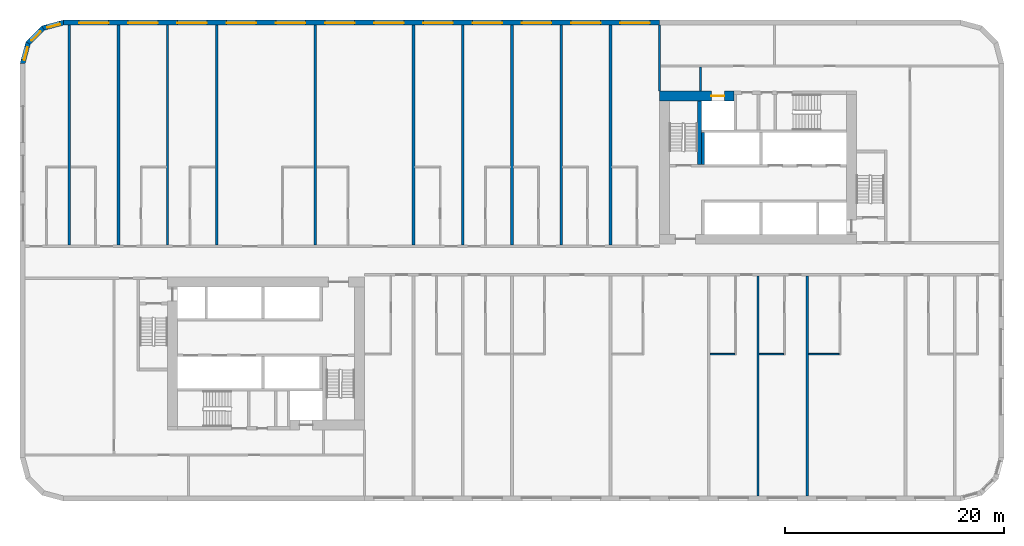
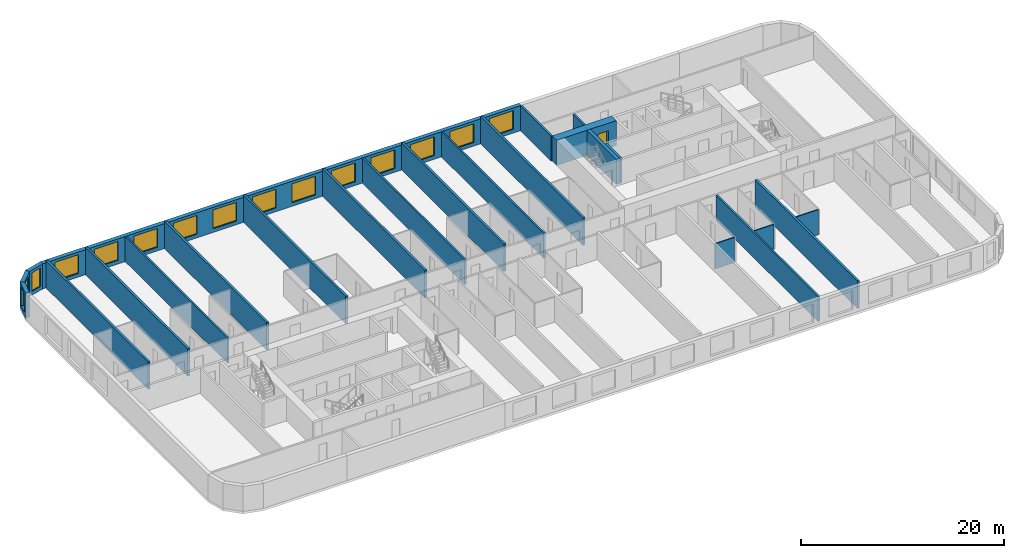
# One storey, part 6 of 12: 24 walls, 15 windows, 1 door, 16 openings.
"""IFC4 building model written with IfcOpenShell, lengths in metres."""

from ifc_helpers import new_model, si_unit, direction, frame, frame_2d, origin, place, context, subcontext, project, spatial, polyline, rectangle, outline, extrude, material, layer, layer_set, type_object, element, fill, save


model = new_model("IFC4")

# Units and contexts
model_context = context("Model", 3, precision=1e-05, world=origin(), true_north=direction((0.0, 1.0)))
body_context = subcontext(model_context, "Body", "Model", "MODEL_VIEW")
ifc_project = project(units=[si_unit("LENGTHUNIT", "METRE"), si_unit("AREAUNIT", "SQUARE_METRE"), si_unit("VOLUMEUNIT", "CUBIC_METRE"), si_unit("PLANEANGLEUNIT", "RADIAN"), si_unit("MASSUNIT", "GRAM", prefix="KILO")], contexts=[model_context])

# Site, building, storey
site_placement = place(None, origin())
site = spatial("IfcSite", under=ifc_project, at=site_placement, CompositionType="ELEMENT")
building_placement = place(site_placement, origin())
building = spatial("IfcBuilding", under=site, at=building_placement, Name="Kajstack Hotel Tower", CompositionType="ELEMENT")
storey_placement = place(building_placement, frame((0.0, 0.0, 76.5)))
storey = spatial("IfcBuildingStorey", under=building, at=storey_placement, Name="L14", CompositionType="ELEMENT", Elevation=76.5)

# Wall, opening, door
ifc_material_1 = material(Name="Concrete C60/75", Category="concrete")
ifc_layer_1 = layer(ifc_material_1, 0.89990234375)
ifc_layer_set_1 = layer_set([ifc_layer_1], Name="Core wall 900")
wall_type_1 = type_object("IfcWallType", Name="Core wall 900", PredefinedType="SHEAR", material=ifc_layer_set_1)
wall_1_placement = place(storey_placement, frame((13.5, 15.050048828125, 0.0), z_axis=(0.0, 0.0, 1.0), x_axis=(1.0, 0.0, 0.0)))
wall_1 = element("IfcWall", 1, at=wall_1_placement, inside=storey, type_object=wall_type_1, Name="Core wall E RS", PredefinedType="SHEAR", context=body_context, shape_type="SweptSolid", body=[
    extrude(rectangle(XDim=6.800048828125, YDim=0.89990234375, at=frame_2d((3.39990234375, 0.0))), origin(), (0.0, 0.0, 1.0), 3.02001953125),
])
opening_1_placement = place(wall_1_placement, frame((4.72509765625, 0.0, 0.0)))
opening_1 = element("IfcOpeningElement", 2, at=opening_1_placement, cuts=wall_1, Name="Opening LD-SV2", PredefinedType="OPENING", context=body_context, shape_type="SweptSolid", body=[
    extrude(rectangle(XDim=1.199951171875, YDim=2.10009765625, at=frame_2d((0.60009765625, 1.050048828125))), frame((0.0, 0.4599609375, 0.0), z_axis=(0.0, -1.0, 0.0), x_axis=(1.0, 0.0, 0.0)), (0.0, 0.0, 1.0), 0.919921875),
])
ifc_material_2 = material(Name="Stainless steel", Category="steel")
door_type = type_object("IfcDoorType", Name="Lift landing door 1200", OperationType="SLIDING_TO_LEFT", PredefinedType="DOOR", material=ifc_material_2)
door_placement = place(opening_1_placement, origin())
door = element("IfcDoor", 3, at=door_placement, inside=storey, type_object=door_type, Name="Landing door SV2", OperationType="SLIDING_TO_LEFT", OverallHeight=2.10009765625, OverallWidth=1.199951171875, PredefinedType="DOOR", context=body_context, shape_type="SweptSolid", body=[
    extrude(rectangle(XDim=1.199951171875, YDim=2.10009765625, at=frame_2d((0.60009765625, 1.050048828125))), frame((0.0, 0.02490234375, 0.0), z_axis=(0.0, -1.0, 0.0), x_axis=(1.0, 0.0, 0.0)), (0.0, 0.0, 1.0), 0.050048828125),
])
fill(opening_1, door)

# Walls
ifc_material_3 = material(Name="Twin-frame gypsum board on steel studs, mineral wool", Category="steel")
ifc_layer_2 = layer(ifc_material_3, 0.199951171875)
ifc_layer_set_2 = layer_set([ifc_layer_2], Name="Demising wall 200")
wall_type_2 = type_object("IfcWallType", Name="Demising wall 200", PredefinedType="PARTITIONING", material=ifc_layer_set_2)
wall_2_placement = place(storey_placement, frame((13.5, 15.5, 0.0), z_axis=(0.0, 0.0, 1.0), x_axis=(0.0, 1.0, 0.0)))
element("IfcWall", 4, at=wall_2_placement, inside=storey, type_object=wall_type_2, Name="G-wall-L14-001", PredefinedType="PARTITIONING", context=body_context, shape_type="SweptSolid", body=[
    extrude(rectangle(XDim=6.050048828125, YDim=0.199951171875, at=frame_2d((3.02490234375, 0.0))), origin(), (0.0, 0.0, 1.0), 3.02001953125),
])
for number, where, z_axis, x_axis, name in (
    (5, (-31.5, 1.39990234375, 0.0), (0.0, 0.0, 1.0), (0.0, 1.0, 0.0), "G-wall-L14-008"),
    (6, (-4.5, 1.39990234375, 0.0), (0.0, 0.0, 1.0), (0.0, 1.0, 0.0), "G-wall-L14-017"),
    (7, (4.5, 1.39990234375, 0.0), (0.0, 0.0, 1.0), (0.0, 1.0, 0.0), "G-wall-L14-022"),
    (8, (22.5, -21.550048828125, 0.0), (0.0, 0.0, 1.0), (0.0, 1.0, 0.0), "G-wall-L14-041"),
):
    element("IfcWall", number, at=place(storey_placement, frame(where, z_axis=z_axis, x_axis=x_axis)), inside=storey, type_object=wall_type_2, Name=name, PredefinedType="PARTITIONING", context=body_context, shape_type="SweptSolid", body=[
        extrude(rectangle(XDim=20.150146484375, YDim=0.199951171875, at=frame_2d((10.0751953125, 0.0))), origin(), (0.0, 0.0, 1.0), 3.02001953125),
    ])

# Wall, openings, windows
ifc_material_4 = material(Name="Terracotta-faced brick masonry", Category="masonry")
ifc_layer_3 = layer(ifc_material_4, 0.449951171875)
ifc_layer_set_3 = layer_set([ifc_layer_3], Name="EW-TERRA")
wall_type_3 = type_object("IfcWallType", Name="EW-TERRA", PredefinedType="SOLIDWALL", material=ifc_layer_set_3)
wall_3_placement = place(storey_placement, frame((13.5, 21.77490234375, 0.0), z_axis=(0.0, 0.0, 1.0), x_axis=(-1.0, 0.0, 0.0)))
wall_3 = element("IfcWall", 9, at=wall_3_placement, inside=storey, type_object=wall_type_3, Name="E-wall-L14-11-02", PredefinedType="SOLIDWALL", context=body_context, shape_type="SweptSolid", body=[
    extrude(rectangle(XDim=54.5, YDim=0.449951171875, at=frame_2d((27.25, 0.0))), origin(), (0.0, 0.0, 1.0), 3.02001953125),
])
opening_2_placement = place(wall_3_placement, frame((0.89990234375, 0.0, 0.449951171875)))
opening_2 = element("IfcOpeningElement", 10, at=opening_2_placement, cuts=wall_3, Name="Opening W1", PredefinedType="OPENING", context=body_context, shape_type="SweptSolid", body=[
    extrude(rectangle(XDim=2.699951171875, YDim=2.25, at=frame_2d((1.35009765625, 1.125))), frame((0.0, 0.23486328125, 0.0), z_axis=(0.0, -1.0, 0.0), x_axis=(1.0, 0.0, 0.0)), (0.0, 0.0, 1.0), 0.469970703125),
])
opening_3_placement = place(wall_3_placement, frame((5.39990234375, 0.0, 0.449951171875)))
opening_3 = element("IfcOpeningElement", 11, at=opening_3_placement, cuts=wall_3, Name="Opening W1", PredefinedType="OPENING", context=body_context, shape_type="SweptSolid", body=[
    extrude(rectangle(XDim=2.699951171875, YDim=2.25, at=frame_2d((1.35009765625, 1.125))), frame((0.0, 0.23486328125, 0.0), z_axis=(0.0, -1.0, 0.0), x_axis=(1.0, 0.0, 0.0)), (0.0, 0.0, 1.0), 0.469970703125),
])
opening_4_placement = place(wall_3_placement, frame((9.89990234375, 0.0, 0.449951171875)))
opening_4 = element("IfcOpeningElement", 12, at=opening_4_placement, cuts=wall_3, Name="Opening W1", PredefinedType="OPENING", context=body_context, shape_type="SweptSolid", body=[
    extrude(rectangle(XDim=2.699951171875, YDim=2.25, at=frame_2d((1.35009765625, 1.125))), frame((0.0, 0.23486328125, 0.0), z_axis=(0.0, -1.0, 0.0), x_axis=(1.0, 0.0, 0.0)), (0.0, 0.0, 1.0), 0.469970703125),
])
opening_5_placement = place(wall_3_placement, frame((14.39990234375, 0.0, 0.449951171875)))
opening_5 = element("IfcOpeningElement", 13, at=opening_5_placement, cuts=wall_3, Name="Opening W1", PredefinedType="OPENING", context=body_context, shape_type="SweptSolid", body=[
    extrude(rectangle(XDim=2.699951171875, YDim=2.25, at=frame_2d((1.35009765625, 1.125))), frame((0.0, 0.23486328125, 0.0), z_axis=(0.0, -1.0, 0.0), x_axis=(1.0, 0.0, 0.0)), (0.0, 0.0, 1.0), 0.469970703125),
])
opening_6_placement = place(wall_3_placement, frame((18.89990234375, 0.0, 0.449951171875)))
opening_6 = element("IfcOpeningElement", 14, at=opening_6_placement, cuts=wall_3, Name="Opening W1", PredefinedType="OPENING", context=body_context, shape_type="SweptSolid", body=[
    extrude(rectangle(XDim=2.699951171875, YDim=2.25, at=frame_2d((1.35009765625, 1.125))), frame((0.0, 0.23486328125, 0.0), z_axis=(0.0, -1.0, 0.0), x_axis=(1.0, 0.0, 0.0)), (0.0, 0.0, 1.0), 0.469970703125),
])
opening_7_placement = place(wall_3_placement, frame((23.39990234375, 0.0, 0.449951171875)))
opening_7 = element("IfcOpeningElement", 15, at=opening_7_placement, cuts=wall_3, Name="Opening W1", PredefinedType="OPENING", context=body_context, shape_type="SweptSolid", body=[
    extrude(rectangle(XDim=2.699951171875, YDim=2.25, at=frame_2d((1.35009765625, 1.125))), frame((0.0, 0.23486328125, 0.0), z_axis=(0.0, -1.0, 0.0), x_axis=(1.0, 0.0, 0.0)), (0.0, 0.0, 1.0), 0.469970703125),
])
opening_8_placement = place(wall_3_placement, frame((27.89990234375, 0.0, 0.449951171875)))
opening_8 = element("IfcOpeningElement", 16, at=opening_8_placement, cuts=wall_3, Name="Opening W1", PredefinedType="OPENING", context=body_context, shape_type="SweptSolid", body=[
    extrude(rectangle(XDim=2.699951171875, YDim=2.25, at=frame_2d((1.35009765625, 1.125))), frame((0.0, 0.23486328125, 0.0), z_axis=(0.0, -1.0, 0.0), x_axis=(1.0, 0.0, 0.0)), (0.0, 0.0, 1.0), 0.469970703125),
])
opening_9_placement = place(wall_3_placement, frame((32.39990234375, 0.0, 0.449951171875)))
opening_9 = element("IfcOpeningElement", 17, at=opening_9_placement, cuts=wall_3, Name="Opening W1", PredefinedType="OPENING", context=body_context, shape_type="SweptSolid", body=[
    extrude(rectangle(XDim=2.699951171875, YDim=2.25, at=frame_2d((1.35009765625, 1.125))), frame((0.0, 0.23486328125, 0.0), z_axis=(0.0, -1.0, 0.0), x_axis=(1.0, 0.0, 0.0)), (0.0, 0.0, 1.0), 0.469970703125),
])
opening_10_placement = place(wall_3_placement, frame((36.89990234375, 0.0, 0.449951171875)))
opening_10 = element("IfcOpeningElement", 18, at=opening_10_placement, cuts=wall_3, Name="Opening W1", PredefinedType="OPENING", context=body_context, shape_type="SweptSolid", body=[
    extrude(rectangle(XDim=2.699951171875, YDim=2.25, at=frame_2d((1.35009765625, 1.125))), frame((0.0, 0.23486328125, 0.0), z_axis=(0.0, -1.0, 0.0), x_axis=(1.0, 0.0, 0.0)), (0.0, 0.0, 1.0), 0.469970703125),
])
opening_11_placement = place(wall_3_placement, frame((41.39990234375, 0.0, 0.449951171875)))
opening_11 = element("IfcOpeningElement", 19, at=opening_11_placement, cuts=wall_3, Name="Opening W1", PredefinedType="OPENING", context=body_context, shape_type="SweptSolid", body=[
    extrude(rectangle(XDim=2.699951171875, YDim=2.25, at=frame_2d((1.35009765625, 1.125))), frame((0.0, 0.23486328125, 0.0), z_axis=(0.0, -1.0, 0.0), x_axis=(1.0, 0.0, 0.0)), (0.0, 0.0, 1.0), 0.469970703125),
])
opening_12_placement = place(wall_3_placement, frame((45.89990234375, 0.0, 0.449951171875)))
opening_12 = element("IfcOpeningElement", 20, at=opening_12_placement, cuts=wall_3, Name="Opening W1", PredefinedType="OPENING", context=body_context, shape_type="SweptSolid", body=[
    extrude(rectangle(XDim=2.699951171875, YDim=2.25, at=frame_2d((1.35009765625, 1.125))), frame((0.0, 0.23486328125, 0.0), z_axis=(0.0, -1.0, 0.0), x_axis=(1.0, 0.0, 0.0)), (0.0, 0.0, 1.0), 0.469970703125),
])
opening_13_placement = place(wall_3_placement, frame((50.39990234375, 0.0, 0.449951171875)))
opening_13 = element("IfcOpeningElement", 21, at=opening_13_placement, cuts=wall_3, Name="Opening W1", PredefinedType="OPENING", context=body_context, shape_type="SweptSolid", body=[
    extrude(rectangle(XDim=2.699951171875, YDim=2.25, at=frame_2d((1.35009765625, 1.125))), frame((0.0, 0.23486328125, 0.0), z_axis=(0.0, -1.0, 0.0), x_axis=(1.0, 0.0, 0.0)), (0.0, 0.0, 1.0), 0.469970703125),
])
ifc_material_5 = material(Name="Timber-aluminium window, triple glazed", Category="wood")
window_type_1 = type_object("IfcWindowType", Name="WG1", PartitioningType="SINGLE_PANEL", PredefinedType="WINDOW", material=ifc_material_5)
window_1_placement = place(opening_2_placement, origin())
window_1 = element("IfcWindow", 22, at=window_1_placement, inside=storey, type_object=window_type_1, Name="Window W1 L14-11", OverallHeight=2.25, OverallWidth=2.699951171875, PartitioningType="SINGLE_PANEL", PredefinedType="WINDOW", context=body_context, shape_type="SweptSolid", body=[
    extrude(rectangle(XDim=2.699951171875, YDim=2.25, at=frame_2d((1.35009765625, 1.125))), frame((0.0, 0.090087890625, 0.0), z_axis=(0.0, -1.0, 0.0), x_axis=(1.0, 0.0, 0.0)), (0.0, 0.0, 1.0), 0.06005859375),
])
fill(opening_2, window_1)
window_2_placement = place(opening_3_placement, origin())
window_2 = element("IfcWindow", 23, at=window_2_placement, inside=storey, type_object=window_type_1, Name="Window W1 L14-11", OverallHeight=2.25, OverallWidth=2.699951171875, PartitioningType="SINGLE_PANEL", PredefinedType="WINDOW", context=body_context, shape_type="SweptSolid", body=[
    extrude(rectangle(XDim=2.699951171875, YDim=2.25, at=frame_2d((1.35009765625, 1.125))), frame((0.0, 0.090087890625, 0.0), z_axis=(0.0, -1.0, 0.0), x_axis=(1.0, 0.0, 0.0)), (0.0, 0.0, 1.0), 0.06005859375),
])
fill(opening_3, window_2)
window_3_placement = place(opening_4_placement, origin())
window_3 = element("IfcWindow", 24, at=window_3_placement, inside=storey, type_object=window_type_1, Name="Window W1 L14-11", OverallHeight=2.25, OverallWidth=2.699951171875, PartitioningType="SINGLE_PANEL", PredefinedType="WINDOW", context=body_context, shape_type="SweptSolid", body=[
    extrude(rectangle(XDim=2.699951171875, YDim=2.25, at=frame_2d((1.35009765625, 1.125))), frame((0.0, 0.090087890625, 0.0), z_axis=(0.0, -1.0, 0.0), x_axis=(1.0, 0.0, 0.0)), (0.0, 0.0, 1.0), 0.06005859375),
])
fill(opening_4, window_3)
window_4_placement = place(opening_5_placement, origin())
window_4 = element("IfcWindow", 25, at=window_4_placement, inside=storey, type_object=window_type_1, Name="Window W1 L14-11", OverallHeight=2.25, OverallWidth=2.699951171875, PartitioningType="SINGLE_PANEL", PredefinedType="WINDOW", context=body_context, shape_type="SweptSolid", body=[
    extrude(rectangle(XDim=2.699951171875, YDim=2.25, at=frame_2d((1.35009765625, 1.125))), frame((0.0, 0.090087890625, 0.0), z_axis=(0.0, -1.0, 0.0), x_axis=(1.0, 0.0, 0.0)), (0.0, 0.0, 1.0), 0.06005859375),
])
fill(opening_5, window_4)
window_5_placement = place(opening_6_placement, origin())
window_5 = element("IfcWindow", 26, at=window_5_placement, inside=storey, type_object=window_type_1, Name="Window W1 L14-11", OverallHeight=2.25, OverallWidth=2.699951171875, PartitioningType="SINGLE_PANEL", PredefinedType="WINDOW", context=body_context, shape_type="SweptSolid", body=[
    extrude(rectangle(XDim=2.699951171875, YDim=2.25, at=frame_2d((1.35009765625, 1.125))), frame((0.0, 0.090087890625, 0.0), z_axis=(0.0, -1.0, 0.0), x_axis=(1.0, 0.0, 0.0)), (0.0, 0.0, 1.0), 0.06005859375),
])
fill(opening_6, window_5)
window_6_placement = place(opening_7_placement, origin())
window_6 = element("IfcWindow", 27, at=window_6_placement, inside=storey, type_object=window_type_1, Name="Window W1 L14-11", OverallHeight=2.25, OverallWidth=2.699951171875, PartitioningType="SINGLE_PANEL", PredefinedType="WINDOW", context=body_context, shape_type="SweptSolid", body=[
    extrude(rectangle(XDim=2.699951171875, YDim=2.25, at=frame_2d((1.35009765625, 1.125))), frame((0.0, 0.090087890625, 0.0), z_axis=(0.0, -1.0, 0.0), x_axis=(1.0, 0.0, 0.0)), (0.0, 0.0, 1.0), 0.06005859375),
])
fill(opening_7, window_6)
window_7_placement = place(opening_8_placement, origin())
window_7 = element("IfcWindow", 28, at=window_7_placement, inside=storey, type_object=window_type_1, Name="Window W1 L14-11", OverallHeight=2.25, OverallWidth=2.699951171875, PartitioningType="SINGLE_PANEL", PredefinedType="WINDOW", context=body_context, shape_type="SweptSolid", body=[
    extrude(rectangle(XDim=2.699951171875, YDim=2.25, at=frame_2d((1.35009765625, 1.125))), frame((0.0, 0.090087890625, 0.0), z_axis=(0.0, -1.0, 0.0), x_axis=(1.0, 0.0, 0.0)), (0.0, 0.0, 1.0), 0.06005859375),
])
fill(opening_8, window_7)
window_8_placement = place(opening_9_placement, origin())
window_8 = element("IfcWindow", 29, at=window_8_placement, inside=storey, type_object=window_type_1, Name="Window W1 L14-11", OverallHeight=2.25, OverallWidth=2.699951171875, PartitioningType="SINGLE_PANEL", PredefinedType="WINDOW", context=body_context, shape_type="SweptSolid", body=[
    extrude(rectangle(XDim=2.699951171875, YDim=2.25, at=frame_2d((1.35009765625, 1.125))), frame((0.0, 0.090087890625, 0.0), z_axis=(0.0, -1.0, 0.0), x_axis=(1.0, 0.0, 0.0)), (0.0, 0.0, 1.0), 0.06005859375),
])
fill(opening_9, window_8)
window_9_placement = place(opening_10_placement, origin())
window_9 = element("IfcWindow", 30, at=window_9_placement, inside=storey, type_object=window_type_1, Name="Window W1 L14-11", OverallHeight=2.25, OverallWidth=2.699951171875, PartitioningType="SINGLE_PANEL", PredefinedType="WINDOW", context=body_context, shape_type="SweptSolid", body=[
    extrude(rectangle(XDim=2.699951171875, YDim=2.25, at=frame_2d((1.35009765625, 1.125))), frame((0.0, 0.090087890625, 0.0), z_axis=(0.0, -1.0, 0.0), x_axis=(1.0, 0.0, 0.0)), (0.0, 0.0, 1.0), 0.06005859375),
])
fill(opening_10, window_9)
window_10_placement = place(opening_11_placement, origin())
window_10 = element("IfcWindow", 31, at=window_10_placement, inside=storey, type_object=window_type_1, Name="Window W1 L14-11", OverallHeight=2.25, OverallWidth=2.699951171875, PartitioningType="SINGLE_PANEL", PredefinedType="WINDOW", context=body_context, shape_type="SweptSolid", body=[
    extrude(rectangle(XDim=2.699951171875, YDim=2.25, at=frame_2d((1.35009765625, 1.125))), frame((0.0, 0.090087890625, 0.0), z_axis=(0.0, -1.0, 0.0), x_axis=(1.0, 0.0, 0.0)), (0.0, 0.0, 1.0), 0.06005859375),
])
fill(opening_11, window_10)
window_11_placement = place(opening_12_placement, origin())
window_11 = element("IfcWindow", 32, at=window_11_placement, inside=storey, type_object=window_type_1, Name="Window W1 L14-11", OverallHeight=2.25, OverallWidth=2.699951171875, PartitioningType="SINGLE_PANEL", PredefinedType="WINDOW", context=body_context, shape_type="SweptSolid", body=[
    extrude(rectangle(XDim=2.699951171875, YDim=2.25, at=frame_2d((1.35009765625, 1.125))), frame((0.0, 0.090087890625, 0.0), z_axis=(0.0, -1.0, 0.0), x_axis=(1.0, 0.0, 0.0)), (0.0, 0.0, 1.0), 0.06005859375),
])
fill(opening_12, window_11)
window_12_placement = place(opening_13_placement, origin())
window_12 = element("IfcWindow", 33, at=window_12_placement, inside=storey, type_object=window_type_1, Name="Window W1 L14-11", OverallHeight=2.25, OverallWidth=2.699951171875, PartitioningType="SINGLE_PANEL", PredefinedType="WINDOW", context=body_context, shape_type="SweptSolid", body=[
    extrude(rectangle(XDim=2.699951171875, YDim=2.25, at=frame_2d((1.35009765625, 1.125))), frame((0.0, 0.090087890625, 0.0), z_axis=(0.0, -1.0, 0.0), x_axis=(1.0, 0.0, 0.0)), (0.0, 0.0, 1.0), 0.06005859375),
])
fill(opening_13, window_12)

# Wall, opening, window
wall_4_placement = place(storey_placement, frame((-40.941650390625, 21.78271484375, 0.0), z_axis=(0.0, 0.0, 1.0), x_axis=(-0.965926999034, -0.25881466832, 0.0)))
wall_4 = element("IfcWall", 34, at=wall_4_placement, inside=storey, type_object=wall_type_3, Name="E-wall-L14-12-00", PredefinedType="SOLIDWALL", context=body_context, shape_type="SweptSolid", body=[
    extrude(outline(polyline([(0.000244140625, -0.22509765625), (2.070556640625, -0.224853515625), (1.9501953125, 0.22509765625), (0.12060546875, 0.22509765625), (0.000244140625, -0.22509765625)])), origin(), (0.0, 0.0, 1.0), 3.02001953125),
])
opening_14_placement = place(wall_4_placement, frame((0.435302734375, 0.0, 0.449951171875)))
opening_14 = element("IfcOpeningElement", 35, at=opening_14_placement, cuts=wall_4, Name="Opening W3", PredefinedType="OPENING", context=body_context, shape_type="SweptSolid", body=[
    extrude(rectangle(XDim=1.199951171875, YDim=2.25, at=frame_2d((0.60009765625, 1.125))), frame((0.0, 0.23486328125, 0.0), z_axis=(0.0, -1.0, 0.0), x_axis=(1.0, 0.0, 0.0)), (0.0, 0.0, 1.0), 0.469970703125),
])
window_type_2 = type_object("IfcWindowType", Name="WG3", PartitioningType="SINGLE_PANEL", PredefinedType="WINDOW", material=ifc_material_5)
window_13_placement = place(opening_14_placement, origin())
window_13 = element("IfcWindow", 36, at=window_13_placement, inside=storey, type_object=window_type_2, Name="Window W3 L14-12", OverallHeight=2.25, OverallWidth=1.199951171875, PartitioningType="SINGLE_PANEL", PredefinedType="WINDOW", context=body_context, shape_type="SweptSolid", body=[
    extrude(rectangle(XDim=1.199951171875, YDim=2.25, at=frame_2d((0.60009765625, 1.125))), frame((0.0, 0.090087890625, 0.0), z_axis=(0.0, -1.0, 0.0), x_axis=(1.0, 0.0, 0.0)), (0.0, 0.0, 1.0), 0.06005859375),
])
fill(opening_14, window_13)

wall_5_placement = place(storey_placement, frame((-42.8408203125, 21.304931640625, 0.0), z_axis=(0.0, 0.0, 1.0), x_axis=(-0.707106781187, -0.707106781187, 0.0)))
wall_5 = element("IfcWall", 37, at=wall_5_placement, inside=storey, type_object=wall_type_3, Name="E-wall-L14-13-00", PredefinedType="SOLIDWALL", context=body_context, shape_type="SweptSolid", body=[
    extrude(outline(polyline([(0.0, -0.22509765625), (2.070556640625, -0.22509765625), (1.949951171875, 0.224853515625), (0.12060546875, 0.224853515625), (0.0, -0.22509765625)])), origin(), (0.0, 0.0, 1.0), 3.02001953125),
])
opening_15_placement = place(wall_5_placement, frame((0.435302734375, 0.0, 0.449951171875)))
opening_15 = element("IfcOpeningElement", 38, at=opening_15_placement, cuts=wall_5, Name="Opening W3", PredefinedType="OPENING", context=body_context, shape_type="SweptSolid", body=[
    extrude(rectangle(XDim=1.199951171875, YDim=2.25, at=frame_2d((0.60009765625, 1.125))), frame((0.0, 0.23486328125, 0.0), z_axis=(0.0, -1.0, 0.0), x_axis=(1.0, 0.0, 0.0)), (0.0, 0.0, 1.0), 0.469970703125),
])
window_14_placement = place(opening_15_placement, origin())
window_14 = element("IfcWindow", 39, at=window_14_placement, inside=storey, type_object=window_type_2, Name="Window W3 L14-13", OverallHeight=2.25, OverallWidth=1.199951171875, PartitioningType="SINGLE_PANEL", PredefinedType="WINDOW", context=body_context, shape_type="SweptSolid", body=[
    extrude(rectangle(XDim=1.199951171875, YDim=2.25, at=frame_2d((0.60009765625, 1.125))), frame((0.0, 0.090087890625, 0.0), z_axis=(0.0, -1.0, 0.0), x_axis=(1.0, 0.0, 0.0)), (0.0, 0.0, 1.0), 0.06005859375),
])
fill(opening_15, window_14)

wall_6_placement = place(storey_placement, frame((-44.246826171875, 19.941650390625, 0.0), z_axis=(0.0, 0.0, 1.0), x_axis=(-0.25881466832, -0.965926999034, 0.0)))
wall_6 = element("IfcWall", 40, at=wall_6_placement, inside=storey, type_object=wall_type_3, Name="E-wall-L14-14-00", PredefinedType="SOLIDWALL", context=body_context, shape_type="SweptSolid", body=[
    extrude(outline(polyline([(-0.000244140625, -0.224853515625), (2.0703125, -0.22509765625), (1.949951171875, 0.22509765625), (0.120361328125, 0.22509765625), (-0.000244140625, -0.224853515625)])), origin(), (0.0, 0.0, 1.0), 3.02001953125),
])
opening_16_placement = place(wall_6_placement, frame((0.435302734375, 0.0, 0.449951171875)))
opening_16 = element("IfcOpeningElement", 41, at=opening_16_placement, cuts=wall_6, Name="Opening W3", PredefinedType="OPENING", context=body_context, shape_type="SweptSolid", body=[
    extrude(rectangle(XDim=1.199951171875, YDim=2.25, at=frame_2d((0.60009765625, 1.125))), frame((0.0, 0.23486328125, 0.0), z_axis=(0.0, -1.0, 0.0), x_axis=(1.0, 0.0, 0.0)), (0.0, 0.0, 1.0), 0.469970703125),
])
window_15_placement = place(opening_16_placement, origin())
window_15 = element("IfcWindow", 42, at=window_15_placement, inside=storey, type_object=window_type_2, Name="Window W3 L14-14", OverallHeight=2.25, OverallWidth=1.199951171875, PartitioningType="SINGLE_PANEL", PredefinedType="WINDOW", context=body_context, shape_type="SweptSolid", body=[
    extrude(rectangle(XDim=1.199951171875, YDim=2.25, at=frame_2d((0.60009765625, 1.125))), frame((0.0, 0.090087890625, 0.0), z_axis=(0.0, -1.0, 0.0), x_axis=(1.0, 0.0, 0.0)), (0.0, 0.0, 1.0), 0.06005859375),
])
fill(opening_16, window_15)

# Walls
ifc_material_6 = material(Name="Gypsum board and tiled backer on steel studs", Category="steel")
ifc_layer_4 = layer(ifc_material_6, 0.125)
ifc_layer_set_4 = layer_set([ifc_layer_4], Name="En-suite wall 125")
wall_type_4 = type_object("IfcWallType", Name="En-suite wall 125", PredefinedType="PARTITIONING", material=ifc_layer_set_4)
for number, where, z_axis, x_axis, name in (
    (43, (18.125, -8.56201171875, 0.0), (0.0, 0.0, 1.0), (1.0, 0.0, 0.0), "G-wall-L14-043"),
    (44, (22.60009765625, -8.56201171875, 0.0), (0.0, 0.0, 1.0), (1.0, 0.0, 0.0), "G-wall-L14-045"),
):
    element("IfcWall", number, at=place(storey_placement, frame(where, z_axis=z_axis, x_axis=x_axis)), inside=storey, type_object=wall_type_4, Name=name, PredefinedType="PARTITIONING", context=body_context, shape_type="SweptSolid", body=[
        extrude(rectangle(XDim=2.25, YDim=0.125, at=frame_2d((1.125, 0.0))), origin(), (0.0, 0.0, 1.0), 3.02001953125),
    ])
wall_7_placement = place(storey_placement, frame((27.125, -8.56201171875, 0.0), z_axis=(0.0, 0.0, 1.0), x_axis=(1.0, 0.0, 0.0)))
element("IfcWall", 45, at=wall_7_placement, inside=storey, type_object=wall_type_4, Name="G-wall-L14-047", PredefinedType="PARTITIONING", context=body_context, shape_type="SweptSolid", body=[
    extrude(rectangle(XDim=2.800048828125, YDim=0.125, at=frame_2d((1.39990234375, 0.0))), origin(), (0.0, 0.0, 1.0), 3.02001953125),
])
ifc_layer_5 = layer(ifc_material_1, 0.25)
ifc_layer_set_5 = layer_set([ifc_layer_5], Name="RC cross wall 250 C60/75")
wall_type_5 = type_object("IfcWallType", Name="RC cross wall 250 C60/75", PredefinedType="SHEAR", material=ifc_layer_set_5)
for number, where, z_axis, x_axis, name in (
    (46, (-40.5, 1.39990234375, 0.0), (0.0, 0.0, 1.0), (0.0, 1.0, 0.0), "S-wall-L14-01"),
    (47, (-36.0, 1.39990234375, 0.0), (0.0, 0.0, 1.0), (0.0, 1.0, 0.0), "S-wall-L14-02"),
    (48, (-27.0, 1.39990234375, 0.0), (0.0, 0.0, 1.0), (0.0, 1.0, 0.0), "S-wall-L14-03"),
    (49, (-18.0, 1.39990234375, 0.0), (0.0, 0.0, 1.0), (0.0, 1.0, 0.0), "S-wall-L14-04"),
    (50, (-9.0, 1.39990234375, 0.0), (0.0, 0.0, 1.0), (0.0, 1.0, 0.0), "S-wall-L14-06"),
    (51, (0.0, 1.39990234375, 0.0), (0.0, 0.0, 1.0), (0.0, 1.0, 0.0), "S-wall-L14-08"),
    (52, (9.0, 1.39990234375, 0.0), (0.0, 0.0, 1.0), (0.0, 1.0, 0.0), "S-wall-L14-10"),
    (53, (27.0, -21.5400390625, 0.0), (0.0, 0.0, 1.0), (0.0, 1.0, 0.0), "S-wall-L14-12"),
):
    element("IfcWall", number, at=place(storey_placement, frame(where, z_axis=z_axis, x_axis=x_axis)), inside=storey, type_object=wall_type_5, Name=name, PredefinedType="SHEAR", context=body_context, shape_type="SweptSolid", body=[
        extrude(rectangle(XDim=20.14013671875, YDim=0.25, at=frame_2d((10.070068359375, 0.0))), origin(), (0.0, 0.0, 1.0), 3.300048828125),
    ])
ifc_material_7 = material(Name="Gypsum board on steel studs, mineral wool", Category="steel")
ifc_layer_6 = layer(ifc_material_7, 0.199951171875)
ifc_layer_set_6 = layer_set([ifc_layer_6], Name="Service partition 200")
wall_type_6 = type_object("IfcWallType", Name="Service partition 200", PredefinedType="PARTITIONING", material=ifc_layer_set_6)
wall_8_placement = place(storey_placement, frame((17.25, 15.5, 0.0), z_axis=(0.0, 0.0, 1.0), x_axis=(0.0, 1.0, 0.0)))
element("IfcWall", 54, at=wall_8_placement, inside=storey, type_object=wall_type_6, Name="Partition E SCE", PredefinedType="PARTITIONING", context=body_context, shape_type="SweptSolid", body=[
    extrude(rectangle(XDim=2.199951171875, YDim=0.199951171875, at=frame_2d((1.10009765625, 0.0))), origin(), (0.0, 0.0, 1.0), 3.02001953125),
])
ifc_material_8 = material(Name="Concrete C50/60", Category="concrete")
ifc_layer_7 = layer(ifc_material_8, 0.25)
ifc_layer_set_7 = layer_set([ifc_layer_7], Name="Shaft wall 250")
wall_type_7 = type_object("IfcWallType", Name="Shaft wall 250", PredefinedType="SHEAR", material=ifc_layer_set_7)
wall_9_placement = place(storey_placement, frame((17.47509765625, 8.800048828125, 0.0), z_axis=(0.0, 0.0, 1.0), x_axis=(0.0, 1.0, 0.0)))
element("IfcWall", 55, at=wall_9_placement, inside=storey, type_object=wall_type_7, Name="Core wall E BE", PredefinedType="SHEAR", context=body_context, shape_type="SweptSolid", body=[
    extrude(rectangle(XDim=2.89990234375, YDim=0.25, at=frame_2d((1.449951171875, 0.0))), origin(), (0.0, 0.0, 1.0), 3.02001953125),
])
ifc_layer_8 = layer(ifc_material_8, 0.39990234375)
ifc_layer_set_8 = layer_set([ifc_layer_8], Name="Stair wall 400")
wall_type_8 = type_object("IfcWallType", Name="Stair wall 400", PredefinedType="SHEAR", material=ifc_layer_set_8)
wall_10_placement = place(storey_placement, frame((17.14990234375, 8.800048828125, 0.0), z_axis=(0.0, 0.0, 1.0), x_axis=(0.0, 1.0, 0.0)))
element("IfcWall", 56, at=wall_10_placement, inside=storey, type_object=wall_type_8, Name="Core wall E WW2", PredefinedType="SHEAR", context=body_context, shape_type="SweptSolid", body=[
    extrude(rectangle(XDim=5.800048828125, YDim=0.39990234375, at=frame_2d((2.89990234375, 0.0))), origin(), (0.0, 0.0, 1.0), 3.02001953125),
])

save(model, "model.ifc")
